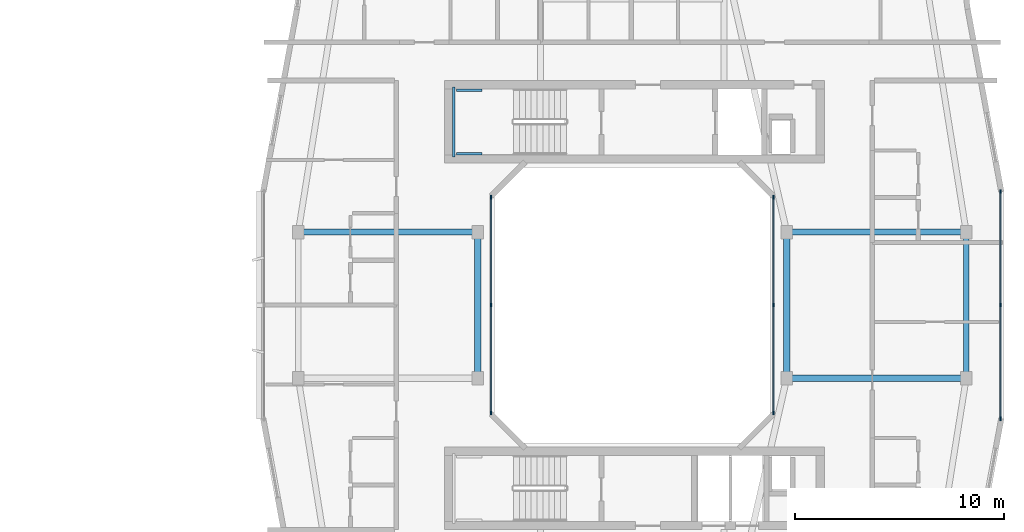
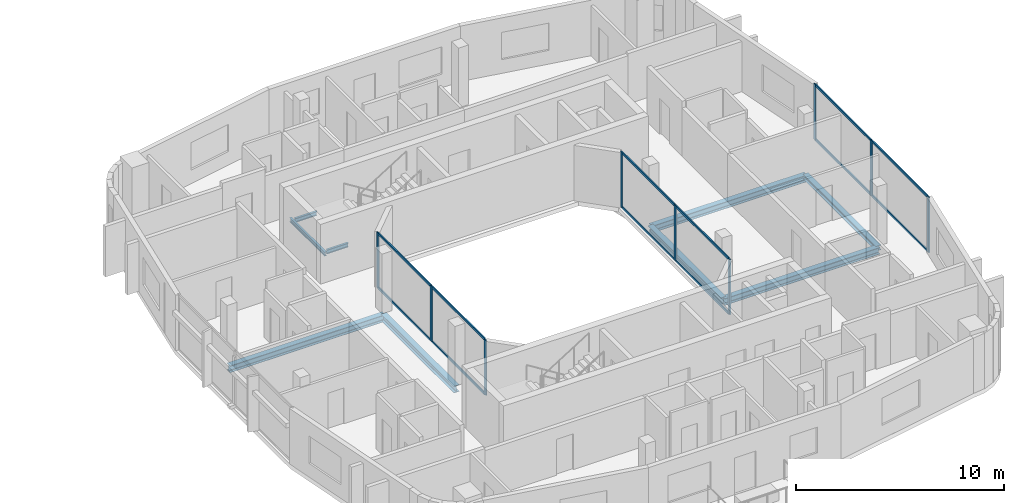
# One storey, part 6 of 22: 21 members, 9 beams, 3 elements without a shape of their own.
"""IFC4 building model written with IfcOpenShell, lengths in metres."""

from ifc_helpers import new_model, si_unit, derived_unit, direction, frame, origin, origin_2d, place, context, subcontext, project, spatial, rectangle, i_section, extrude, material, layer, layer_set, material_profile, profile_set, type_object, element, aggregate, save


model = new_model("IFC4")

# Units and contexts
model_context = context("Model", 3, precision=1e-05, world=origin(), true_north=direction((0.0, 1.0)))
body_context = subcontext(model_context, "Body", "Model", "MODEL_VIEW")
ifc_project = project(units=[si_unit("LENGTHUNIT", "METRE"), si_unit("AREAUNIT", "SQUARE_METRE"), si_unit("VOLUMEUNIT", "CUBIC_METRE"), si_unit("PLANEANGLEUNIT", "RADIAN"), si_unit("MASSUNIT", "GRAM", prefix="KILO"), derived_unit("THERMALTRANSMITTANCEUNIT", [(si_unit("POWERUNIT", "WATT"), 1), (si_unit("LENGTHUNIT", "METRE"), -2), (si_unit("THERMODYNAMICTEMPERATUREUNIT", "KELVIN"), -1)])], contexts=[model_context])

# Site, building, storey
site_placement = place(None, origin())
site = spatial("IfcSite", under=ifc_project, at=site_placement, CompositionType="ELEMENT")
building_placement = place(site_placement, origin())
building = spatial("IfcBuilding", under=site, at=building_placement, Name="Kivonza Crest Hotel", CompositionType="ELEMENT")
storey_placement = place(building_placement, frame((0.0, 0.0, 112.5)))
storey = spatial("IfcBuildingStorey", under=building, at=storey_placement, Name="L30", CompositionType="ELEMENT", Elevation=112.5)

# Beams
ifc_material_1 = material(Name="Steel S355", Category="steel")
ifc_material_profile_1 = material_profile(ifc_material_1, i_section(OverallWidth=0.280029296875, OverallDepth=0.280029296875, WebThickness=0.010498046875, FlangeThickness=0.01806640625, FilletRadius=0.02392578125, at=origin_2d()), Name="HEB 280")
ifc_profile_set_1 = profile_set([ifc_material_profile_1], Name="Steel S355")
beam_type_1 = type_object("IfcBeamType", Name="BM-HEB280", PredefinedType="SPANDREL", material=ifc_profile_set_1)
beam_1_placement = place(storey_placement, frame((93.0, 21.5, -0.389892578125), z_axis=(0.0, 1.0, 0.0), x_axis=(-1.0, 0.0, 0.0)))
element("IfcBeam", 1, at=beam_1_placement, inside=storey, type_object=beam_type_1, Name="Companion Tower T2 L30 perimeter spandrel E1-E2", PredefinedType="SPANDREL", context=body_context, shape_type="SweptSolid", body=[
    extrude(i_section(OverallWidth=0.280029296875, OverallDepth=0.280029296875, WebThickness=0.010498046875, FlangeThickness=0.01806640625, FilletRadius=0.02392578125, at=origin_2d()), origin(), (0.0, 0.0, 1.0), 7.0),
])
ifc_material_profile_2 = material_profile(ifc_material_1, i_section(OverallWidth=0.300048828125, OverallDepth=0.39990234375, WebThickness=0.013427734375, FlangeThickness=0.02392578125, FilletRadius=0.027099609375, at=origin_2d()), Name="HEB 400")
ifc_profile_set_2 = profile_set([ifc_material_profile_2], Name="Steel S355")
beam_type_2 = type_object("IfcBeamType", Name="BM-HEB400", PredefinedType="BEAM", material=ifc_profile_set_2)
beam_2_placement = place(storey_placement, frame((61.0, 28.5, -0.449951171875), z_axis=(1.0, 0.0, 0.0), x_axis=(0.0, 1.0, 0.0)))
element("IfcBeam", 2, at=beam_2_placement, inside=storey, type_object=beam_type_2, Name="Companion Tower T2 L30 girder W2-WL2", PredefinedType="BEAM", context=body_context, shape_type="SweptSolid", body=[
    extrude(i_section(OverallWidth=0.300048828125, OverallDepth=0.39990234375, WebThickness=0.013427734375, FlangeThickness=0.02392578125, FilletRadius=0.027099609375, at=origin_2d()), origin(), (0.0, 0.0, 1.0), 8.60009765625),
])
beam_3_placement = place(storey_placement, frame((69.60009765625, 21.5, -0.449951171875), z_axis=(0.0, 1.0, 0.0), x_axis=(-1.0, 0.0, 0.0)))
element("IfcBeam", 3, at=beam_3_placement, inside=storey, type_object=beam_type_2, Name="Companion Tower T2 L30 girder WL1-WL2", PredefinedType="BEAM", context=body_context, shape_type="SweptSolid", body=[
    extrude(i_section(OverallWidth=0.300048828125, OverallDepth=0.39990234375, WebThickness=0.013427734375, FlangeThickness=0.02392578125, FilletRadius=0.027099609375, at=origin_2d()), origin(), (0.0, 0.0, 1.0), 7.0),
])
for number, where, z_axis, x_axis, name in (
    (4, (84.39990234375, 21.5, -0.449951171875), (1.0, 0.0, 0.0), (0.0, 1.0, 0.0), "Companion Tower T2 L30 girder WR1-E1"),
    (5, (84.39990234375, 28.5, -0.449951171875), (1.0, 0.0, 0.0), (0.0, 1.0, 0.0), "Companion Tower T2 L30 girder WR2-E2"),
):
    element("IfcBeam", number, at=place(storey_placement, frame(where, z_axis=z_axis, x_axis=x_axis)), inside=storey, type_object=beam_type_2, Name=name, PredefinedType="BEAM", context=body_context, shape_type="SweptSolid", body=[
        extrude(i_section(OverallWidth=0.300048828125, OverallDepth=0.39990234375, WebThickness=0.013427734375, FlangeThickness=0.02392578125, FilletRadius=0.027099609375, at=origin_2d()), origin(), (0.0, 0.0, 1.0), 8.60009765625),
    ])
beam_4_placement = place(storey_placement, frame((84.39990234375, 21.5, -0.449951171875), z_axis=(0.0, 1.0, 0.0), x_axis=(-1.0, 0.0, 0.0)))
element("IfcBeam", 6, at=beam_4_placement, inside=storey, type_object=beam_type_2, Name="Companion Tower T2 L30 girder WR1-WR2", PredefinedType="BEAM", context=body_context, shape_type="SweptSolid", body=[
    extrude(i_section(OverallWidth=0.300048828125, OverallDepth=0.39990234375, WebThickness=0.013427734375, FlangeThickness=0.02392578125, FilletRadius=0.027099609375, at=origin_2d()), origin(), (0.0, 0.0, 1.0), 7.0),
])
ifc_material_profile_3 = material_profile(ifc_material_1, i_section(OverallWidth=0.1201171875, OverallDepth=0.239990234375, WebThickness=0.006103515625, FlangeThickness=0.009765625, FilletRadius=0.014892578125, at=origin_2d()), Name="IPE 240")
ifc_profile_set_3 = profile_set([ifc_material_profile_3], Name="Steel S355")
beam_type_3 = type_object("IfcBeamType", Name="BM-LLDG-240", PredefinedType="BEAM", material=ifc_profile_set_3)
beam_5_placement = place(storey_placement, frame((68.4599609375, 32.10009765625, 1.429931640625), z_axis=(0.0, 1.0, 0.0), x_axis=(-1.0, 0.0, 0.0)))
element("IfcBeam", 7, at=beam_5_placement, inside=storey, type_object=beam_type_3, Name="Stair ST-T2-N L30 West landing corbel", PredefinedType="BEAM", context=body_context, shape_type="SweptSolid", body=[
    extrude(i_section(OverallWidth=0.1201171875, OverallDepth=0.239990234375, WebThickness=0.006103515625, FlangeThickness=0.009765625, FilletRadius=0.014892578125, at=origin_2d()), origin(), (0.0, 0.0, 1.0), 3.35986328125),
])
for number, where, z_axis, x_axis, name in (
    (8, (68.590087890625, 32.260009765625, 1.429931640625), (1.0, 0.0, 0.0), (0.0, 1.0, 0.0), "Stair ST-T2-N L30 South landing corbel"),
    (9, (68.590087890625, 35.300048828125, 1.429931640625), (1.0, 0.0, 0.0), (0.0, 1.0, 0.0), "Stair ST-T2-N L30 North landing corbel"),
):
    element("IfcBeam", number, at=place(storey_placement, frame(where, z_axis=z_axis, x_axis=x_axis)), inside=storey, type_object=beam_type_3, Name=name, PredefinedType="BEAM", context=body_context, shape_type="SweptSolid", body=[
        extrude(i_section(OverallWidth=0.1201171875, OverallDepth=0.239990234375, WebThickness=0.006103515625, FlangeThickness=0.009765625, FilletRadius=0.014892578125, at=origin_2d()), origin(), (0.0, 0.0, 1.0), 1.2099609375),
    ])

# Curtain wall, members
ifc_material_2 = material(Name="Anodised bronze aluminium and low-E double glazing", Category="aluminium")
ifc_layer_1 = layer(ifc_material_2, 0.179931640625)
ifc_layer_set_1 = layer_set([ifc_layer_1], Name="Anodised bronze aluminium and low-E double glazing")
curtain_wall_type_1 = type_object("IfcCurtainWallType", Name="CW-SYS-4", PredefinedType="NOTDEFINED", material=ifc_layer_set_1)
curtain_wall_1_placement = place(storey_placement, origin())
curtain_wall_1 = element("IfcCurtainWall", 10, at=curtain_wall_1_placement, inside=storey, type_object=curtain_wall_type_1, Name="L30 unitised curtain wall CW-T2-L30-17", PredefinedType="NOTDEFINED")
ifc_material_3 = material(Name="Anodised bronze aluminium", Category="aluminium")
ifc_material_profile_4 = material_profile(ifc_material_3, rectangle(XDim=0.06494140625, YDim=0.179931640625, at=origin_2d()), Name="CW-M 65x180")
ifc_profile_set_4 = profile_set([ifc_material_profile_4], Name="Anodised bronze aluminium")
member_type_1 = type_object("IfcMemberType", Name="CW-MUL-65x180", PredefinedType="MULLION", material=ifc_profile_set_4)
member_1_placement = place(storey_placement, frame((94.639892578125, 19.552490234375, 0.0), z_axis=(0.0, 0.0, 1.0), x_axis=(-1.0, 0.0, 0.0)))
member_1 = element("IfcMember", 11, at=member_1_placement, type_object=member_type_1, Name="CW-4 mullion 1", PredefinedType="MULLION", context=body_context, shape_type="SweptSolid", body=[
    extrude(rectangle(XDim=0.06494140625, YDim=0.179931640625, at=origin_2d()), origin(), (0.0, 0.0, 1.0), 3.25),
])
member_2_placement = place(storey_placement, frame((94.639892578125, 25.0, 0.0), z_axis=(0.0, 0.0, 1.0), x_axis=(-1.0, 0.0, 0.0)))
member_2 = element("IfcMember", 12, at=member_2_placement, type_object=member_type_1, Name="CW-4 mullion 2", PredefinedType="MULLION", context=body_context, shape_type="SweptSolid", body=[
    extrude(rectangle(XDim=0.06494140625, YDim=0.179931640625, at=origin_2d()), origin(), (0.0, 0.0, 1.0), 3.25),
])
member_3_placement = place(storey_placement, frame((94.639892578125, 30.447509765625, 0.0), z_axis=(0.0, 0.0, 1.0), x_axis=(-1.0, 0.0, 0.0)))
member_3 = element("IfcMember", 13, at=member_3_placement, type_object=member_type_1, Name="CW-4 mullion 3", PredefinedType="MULLION", context=body_context, shape_type="SweptSolid", body=[
    extrude(rectangle(XDim=0.06494140625, YDim=0.179931640625, at=origin_2d()), origin(), (0.0, 0.0, 1.0), 3.25),
])

ifc_layer_2 = layer(ifc_material_2, 0.159912109375)
ifc_layer_set_2 = layer_set([ifc_layer_2], Name="Anodised bronze aluminium and low-E double glazing")
curtain_wall_type_2 = type_object("IfcCurtainWallType", Name="CW-SYS-5", PredefinedType="NOTDEFINED", material=ifc_layer_set_2)
curtain_wall_2_placement = place(storey_placement, origin())
curtain_wall_2 = element("IfcCurtainWall", 14, at=curtain_wall_2_placement, inside=storey, type_object=curtain_wall_type_2, Name="L30 unitised curtain wall CW-WELL-T2-L30-3", PredefinedType="NOTDEFINED")
member_4_placement = place(storey_placement, frame((83.760009765625, 19.83251953125, 0.0), z_axis=(0.0, 0.0, 1.0), x_axis=(-1.0, 0.0, 0.0)))
member_4 = element("IfcMember", 15, at=member_4_placement, type_object=member_type_1, Name="CW-5 mullion 1", PredefinedType="MULLION", context=body_context, shape_type="SweptSolid", body=[
    extrude(rectangle(XDim=0.06494140625, YDim=0.179931640625, at=origin_2d()), origin(), (0.0, 0.0, 1.0), 3.25),
])
member_5_placement = place(storey_placement, frame((83.760009765625, 25.0, 0.0), z_axis=(0.0, 0.0, 1.0), x_axis=(-1.0, 0.0, 0.0)))
member_5 = element("IfcMember", 16, at=member_5_placement, type_object=member_type_1, Name="CW-5 mullion 2", PredefinedType="MULLION", context=body_context, shape_type="SweptSolid", body=[
    extrude(rectangle(XDim=0.06494140625, YDim=0.179931640625, at=origin_2d()), origin(), (0.0, 0.0, 1.0), 3.25),
])
member_6_placement = place(storey_placement, frame((83.760009765625, 30.16748046875, 0.0), z_axis=(0.0, 0.0, 1.0), x_axis=(-1.0, 0.0, 0.0)))
member_6 = element("IfcMember", 17, at=member_6_placement, type_object=member_type_1, Name="CW-5 mullion 3", PredefinedType="MULLION", context=body_context, shape_type="SweptSolid", body=[
    extrude(rectangle(XDim=0.06494140625, YDim=0.179931640625, at=origin_2d()), origin(), (0.0, 0.0, 1.0), 3.25),
])

curtain_wall_3_placement = place(storey_placement, origin())
curtain_wall_3 = element("IfcCurtainWall", 18, at=curtain_wall_3_placement, inside=storey, type_object=curtain_wall_type_2, Name="L30 unitised curtain wall CW-WELL-T2-L30-7", PredefinedType="NOTDEFINED")
member_7_placement = place(storey_placement, frame((70.239990234375, 30.16748046875, 0.0), z_axis=(0.0, 0.0, 1.0), x_axis=(1.0, 0.0, 0.0)))
member_7 = element("IfcMember", 19, at=member_7_placement, type_object=member_type_1, Name="CW-5 mullion 1", PredefinedType="MULLION", context=body_context, shape_type="SweptSolid", body=[
    extrude(rectangle(XDim=0.06494140625, YDim=0.179931640625, at=origin_2d()), origin(), (0.0, 0.0, 1.0), 3.25),
])
member_8_placement = place(storey_placement, frame((70.239990234375, 25.0, 0.0), z_axis=(0.0, 0.0, 1.0), x_axis=(1.0, 0.0, 0.0)))
member_8 = element("IfcMember", 20, at=member_8_placement, type_object=member_type_1, Name="CW-5 mullion 2", PredefinedType="MULLION", context=body_context, shape_type="SweptSolid", body=[
    extrude(rectangle(XDim=0.06494140625, YDim=0.179931640625, at=origin_2d()), origin(), (0.0, 0.0, 1.0), 3.25),
])
member_9_placement = place(storey_placement, frame((70.239990234375, 19.83251953125, 0.0), z_axis=(0.0, 0.0, 1.0), x_axis=(1.0, 0.0, 0.0)))
member_9 = element("IfcMember", 21, at=member_9_placement, type_object=member_type_1, Name="CW-5 mullion 3", PredefinedType="MULLION", context=body_context, shape_type="SweptSolid", body=[
    extrude(rectangle(XDim=0.06494140625, YDim=0.179931640625, at=origin_2d()), origin(), (0.0, 0.0, 1.0), 3.25),
])

# Member
ifc_material_profile_5 = material_profile(ifc_material_3, rectangle(XDim=0.06494140625, YDim=0.139892578125, at=origin_2d()), Name="CW-T 65x140")
ifc_profile_set_5 = profile_set([ifc_material_profile_5], Name="Anodised bronze aluminium")
member_type_2 = type_object("IfcMemberType", Name="CW-TRN-65x140", PredefinedType="USERDEFINED", material=ifc_profile_set_5)
member_10_placement = place(storey_placement, frame((94.639892578125, 19.5849609375, 0.032470703125), z_axis=(0.0, 1.0, 0.0), x_axis=(-1.0, 0.0, 0.0)))
member_10 = element("IfcMember", 22, at=member_10_placement, type_object=member_type_2, Name="CW-4 transom 1.1", ObjectType="TRANSOM", PredefinedType="USERDEFINED", context=body_context, shape_type="SweptSolid", body=[
    extrude(rectangle(XDim=0.06494140625, YDim=0.139892578125, at=origin_2d()), origin(), (0.0, 0.0, 1.0), 5.382568359375),
])

member_11_placement = place(storey_placement, frame((94.639892578125, 19.5849609375, 3.217529296875), z_axis=(0.0, 1.0, 0.0), x_axis=(-1.0, 0.0, 0.0)))
member_11 = element("IfcMember", 23, at=member_11_placement, type_object=member_type_2, Name="CW-4 transom 1.2", ObjectType="TRANSOM", PredefinedType="USERDEFINED", context=body_context, shape_type="SweptSolid", body=[
    extrude(rectangle(XDim=0.06494140625, YDim=0.139892578125, at=origin_2d()), origin(), (0.0, 0.0, 1.0), 5.382568359375),
])

member_12_placement = place(storey_placement, frame((94.639892578125, 25.032470703125, 0.032470703125), z_axis=(0.0, 1.0, 0.0), x_axis=(-1.0, 0.0, 0.0)))
member_12 = element("IfcMember", 24, at=member_12_placement, type_object=member_type_2, Name="CW-4 transom 2.1", ObjectType="TRANSOM", PredefinedType="USERDEFINED", context=body_context, shape_type="SweptSolid", body=[
    extrude(rectangle(XDim=0.06494140625, YDim=0.139892578125, at=origin_2d()), origin(), (0.0, 0.0, 1.0), 5.382568359375),
])

member_13_placement = place(storey_placement, frame((94.639892578125, 25.032470703125, 3.217529296875), z_axis=(0.0, 1.0, 0.0), x_axis=(-1.0, 0.0, 0.0)))
member_13 = element("IfcMember", 25, at=member_13_placement, type_object=member_type_2, Name="CW-4 transom 2.2", ObjectType="TRANSOM", PredefinedType="USERDEFINED", context=body_context, shape_type="SweptSolid", body=[
    extrude(rectangle(XDim=0.06494140625, YDim=0.139892578125, at=origin_2d()), origin(), (0.0, 0.0, 1.0), 5.382568359375),
])

aggregate(curtain_wall_1, [member_1, member_2, member_3, member_10, member_11, member_12, member_13])

member_14_placement = place(storey_placement, frame((83.760009765625, 19.864990234375, 0.032470703125), z_axis=(0.0, 1.0, 0.0), x_axis=(-1.0, 0.0, 0.0)))
member_14 = element("IfcMember", 26, at=member_14_placement, type_object=member_type_2, Name="CW-5 transom 1.1", ObjectType="TRANSOM", PredefinedType="USERDEFINED", context=body_context, shape_type="SweptSolid", body=[
    extrude(rectangle(XDim=0.06494140625, YDim=0.139892578125, at=origin_2d()), origin(), (0.0, 0.0, 1.0), 5.1025390625),
])

member_15_placement = place(storey_placement, frame((83.760009765625, 19.864990234375, 3.217529296875), z_axis=(0.0, 1.0, 0.0), x_axis=(-1.0, 0.0, 0.0)))
member_15 = element("IfcMember", 27, at=member_15_placement, type_object=member_type_2, Name="CW-5 transom 1.2", ObjectType="TRANSOM", PredefinedType="USERDEFINED", context=body_context, shape_type="SweptSolid", body=[
    extrude(rectangle(XDim=0.06494140625, YDim=0.139892578125, at=origin_2d()), origin(), (0.0, 0.0, 1.0), 5.1025390625),
])

member_16_placement = place(storey_placement, frame((83.760009765625, 25.032470703125, 0.032470703125), z_axis=(0.0, 1.0, 0.0), x_axis=(-1.0, 0.0, 0.0)))
member_16 = element("IfcMember", 28, at=member_16_placement, type_object=member_type_2, Name="CW-5 transom 2.1", ObjectType="TRANSOM", PredefinedType="USERDEFINED", context=body_context, shape_type="SweptSolid", body=[
    extrude(rectangle(XDim=0.06494140625, YDim=0.139892578125, at=origin_2d()), origin(), (0.0, 0.0, 1.0), 5.1025390625),
])

member_17_placement = place(storey_placement, frame((83.760009765625, 25.032470703125, 3.217529296875), z_axis=(0.0, 1.0, 0.0), x_axis=(-1.0, 0.0, 0.0)))
member_17 = element("IfcMember", 29, at=member_17_placement, type_object=member_type_2, Name="CW-5 transom 2.2", ObjectType="TRANSOM", PredefinedType="USERDEFINED", context=body_context, shape_type="SweptSolid", body=[
    extrude(rectangle(XDim=0.06494140625, YDim=0.139892578125, at=origin_2d()), origin(), (0.0, 0.0, 1.0), 5.1025390625),
])

aggregate(curtain_wall_2, [member_4, member_5, member_6, member_14, member_15, member_16, member_17])

member_18_placement = place(storey_placement, frame((70.239990234375, 30.135009765625, 0.032470703125), z_axis=(0.0, -1.0, 0.0), x_axis=(1.0, 0.0, 0.0)))
member_18 = element("IfcMember", 30, at=member_18_placement, type_object=member_type_2, Name="CW-5 transom 1.1", ObjectType="TRANSOM", PredefinedType="USERDEFINED", context=body_context, shape_type="SweptSolid", body=[
    extrude(rectangle(XDim=0.06494140625, YDim=0.139892578125, at=origin_2d()), origin(), (0.0, 0.0, 1.0), 5.1025390625),
])

member_19_placement = place(storey_placement, frame((70.239990234375, 30.135009765625, 3.217529296875), z_axis=(0.0, -1.0, 0.0), x_axis=(1.0, 0.0, 0.0)))
member_19 = element("IfcMember", 31, at=member_19_placement, type_object=member_type_2, Name="CW-5 transom 1.2", ObjectType="TRANSOM", PredefinedType="USERDEFINED", context=body_context, shape_type="SweptSolid", body=[
    extrude(rectangle(XDim=0.06494140625, YDim=0.139892578125, at=origin_2d()), origin(), (0.0, 0.0, 1.0), 5.1025390625),
])

member_20_placement = place(storey_placement, frame((70.239990234375, 24.967529296875, 0.032470703125), z_axis=(0.0, -1.0, 0.0), x_axis=(1.0, 0.0, 0.0)))
member_20 = element("IfcMember", 32, at=member_20_placement, type_object=member_type_2, Name="CW-5 transom 2.1", ObjectType="TRANSOM", PredefinedType="USERDEFINED", context=body_context, shape_type="SweptSolid", body=[
    extrude(rectangle(XDim=0.06494140625, YDim=0.139892578125, at=origin_2d()), origin(), (0.0, 0.0, 1.0), 5.1025390625),
])

member_21_placement = place(storey_placement, frame((70.239990234375, 24.967529296875, 3.217529296875), z_axis=(0.0, -1.0, 0.0), x_axis=(1.0, 0.0, 0.0)))
member_21 = element("IfcMember", 33, at=member_21_placement, type_object=member_type_2, Name="CW-5 transom 2.2", ObjectType="TRANSOM", PredefinedType="USERDEFINED", context=body_context, shape_type="SweptSolid", body=[
    extrude(rectangle(XDim=0.06494140625, YDim=0.139892578125, at=origin_2d()), origin(), (0.0, 0.0, 1.0), 5.1025390625),
])

aggregate(curtain_wall_3, [member_7, member_8, member_9, member_18, member_19, member_20, member_21])

save(model, "model.ifc")
